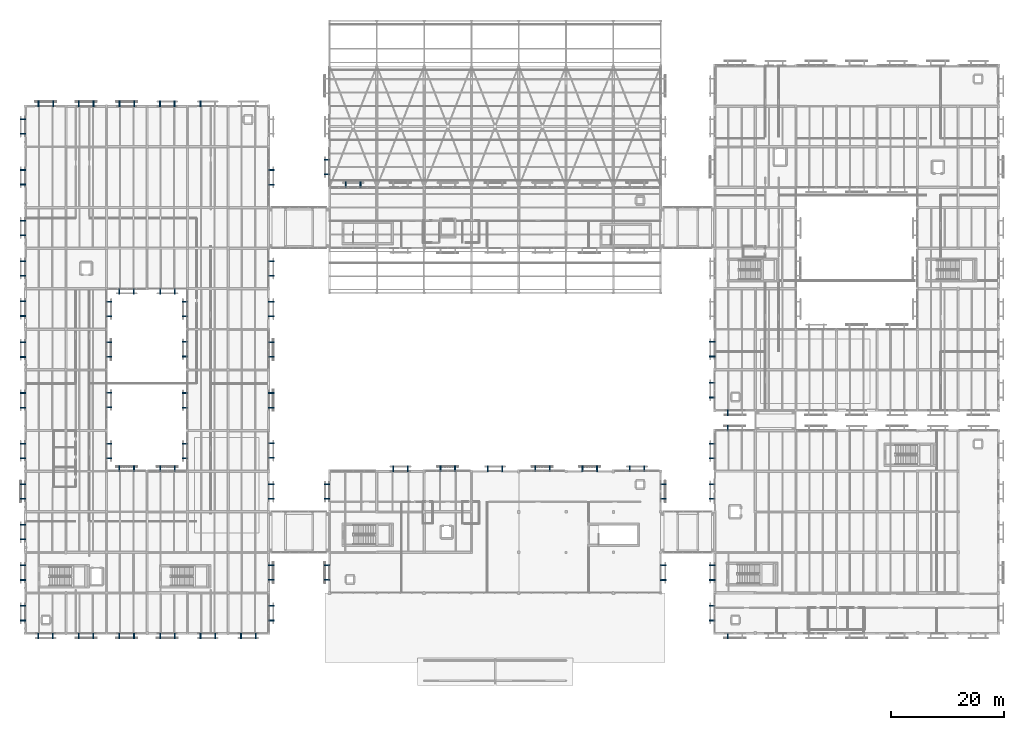
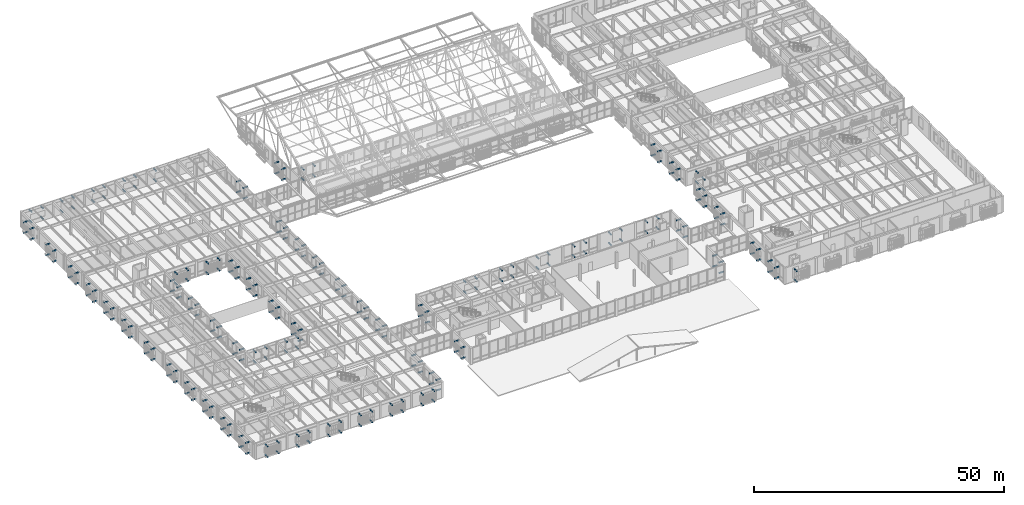
# One storey, part 190 of 217: 252 discrete accessories.
"""IFC4 building model written with IfcOpenShell, lengths in metres."""

from ifc_helpers import new_model, si_unit, direction, frame, origin, origin_2d, place, context, subcontext, project, spatial, rectangle, extrude, material, type_object, element, save


model = new_model("IFC4")

# Units and contexts
model_context = context("Model", 3, precision=1e-05, world=origin(), true_north=direction((0.0, 1.0)))
body_context = subcontext(model_context, "Body", "Model", "MODEL_VIEW")
ifc_project = project(units=[si_unit("LENGTHUNIT", "METRE"), si_unit("AREAUNIT", "SQUARE_METRE"), si_unit("VOLUMEUNIT", "CUBIC_METRE"), si_unit("PLANEANGLEUNIT", "RADIAN"), si_unit("MASSUNIT", "GRAM", prefix="KILO")], contexts=[model_context])

# Site, building, storey
site_placement = place(None, origin())
site = spatial("IfcSite", under=ifc_project, at=site_placement, CompositionType="ELEMENT")
building_placement = place(site_placement, origin())
building = spatial("IfcBuilding", under=site, at=building_placement, Name="Mazaris Harbour Polytechnic", CompositionType="ELEMENT")
storey_placement = place(building_placement, frame((0.0, 0.0, 9.60009765625)))
storey = spatial("IfcBuildingStorey", under=building, at=storey_placement, Name="L02", CompositionType="ELEMENT", Elevation=9.60009765625)

# Discrete accessories
ifc_material = material(Name="Stainless Steel S355", Category="steel")
discrete_accessory_type = type_object("IfcDiscreteAccessoryType", Name="Stainless Screen Outrigger Bracket 200x1020x200", PredefinedType="BRACKET", material=ifc_material)
for number, where, z_axis, x_axis, name in (
    (1, (56.904052734375, 86.840087890625, 0.16015625), (0.0, 0.0, 1.0), (1.0, 0.0, 0.0), "Screen Outrigger Bracket 117"),
    (2, (56.904052734375, 86.840087890625, 2.73974609375), (0.0, 0.0, 1.0), (1.0, 0.0, 0.0), "Screen Outrigger Bracket 118"),
    (3, (59.49609375, 86.840087890625, 0.16015625), (0.0, 0.0, 1.0), (1.0, 0.0, 0.0), "Screen Outrigger Bracket 119"),
    (4, (59.49609375, 86.840087890625, 2.73974609375), (0.0, 0.0, 1.0), (1.0, 0.0, 0.0), "Screen Outrigger Bracket 120"),
    (5, (53.56005859375, 88.694091796875, 0.16015625), (0.0, 0.0, 1.0), (0.0, 1.0, 0.0), "Screen Outrigger Bracket 145"),
    (6, (53.56005859375, 88.694091796875, 2.73974609375), (0.0, 0.0, 1.0), (0.0, 1.0, 0.0), "Screen Outrigger Bracket 146"),
    (7, (53.56005859375, 91.285888671875, 0.16015625), (0.0, 0.0, 1.0), (0.0, 1.0, 0.0), "Screen Outrigger Bracket 147"),
    (8, (53.56005859375, 91.285888671875, 2.73974609375), (0.0, 0.0, 1.0), (0.0, 1.0, 0.0), "Screen Outrigger Bracket 148"),
    (9, (124.68896484375, 6.760009765625, 0.16015625), (0.0, 0.0, 1.0), (-1.0, 0.0, 0.0), "Screen Outrigger Bracket 267"),
    (10, (124.68896484375, 6.760009765625, 2.73974609375), (0.0, 0.0, 1.0), (-1.0, 0.0, 0.0), "Screen Outrigger Bracket 268"),
    (11, (124.678955078125, 43.639892578125, 0.16015625), (0.0, 0.0, 1.0), (1.0, 0.0, 0.0), "Screen Outrigger Bracket 293"),
    (12, (124.678955078125, 43.639892578125, 2.73974609375), (0.0, 0.0, 1.0), (1.0, 0.0, 0.0), "Screen Outrigger Bracket 294"),
    (13, (121.9599609375, 9.493896484375, 0.16015625), (0.0, 0.0, 1.0), (0.0, 1.0, 0.0), "Screen Outrigger Bracket 317"),
    (14, (121.9599609375, 9.493896484375, 2.73974609375), (0.0, 0.0, 1.0), (0.0, 1.0, 0.0), "Screen Outrigger Bracket 318"),
    (15, (121.9599609375, 12.0859375, 0.16015625), (0.0, 0.0, 1.0), (0.0, 1.0, 0.0), "Screen Outrigger Bracket 319"),
    (16, (121.9599609375, 12.0859375, 2.73974609375), (0.0, 0.0, 1.0), (0.0, 1.0, 0.0), "Screen Outrigger Bracket 320"),
    (17, (121.9599609375, 16.694091796875, 0.16015625), (0.0, 0.0, 1.0), (0.0, 1.0, 0.0), "Screen Outrigger Bracket 321"),
    (18, (121.9599609375, 16.694091796875, 2.73974609375), (0.0, 0.0, 1.0), (0.0, 1.0, 0.0), "Screen Outrigger Bracket 322"),
    (19, (121.9599609375, 19.285888671875, 0.16015625), (0.0, 0.0, 1.0), (0.0, 1.0, 0.0), "Screen Outrigger Bracket 323"),
    (20, (121.9599609375, 19.285888671875, 2.73974609375), (0.0, 0.0, 1.0), (0.0, 1.0, 0.0), "Screen Outrigger Bracket 324"),
    (21, (121.9599609375, 31.10888671875, 0.16015625), (0.0, 0.0, 1.0), (0.0, 1.0, 0.0), "Screen Outrigger Bracket 325"),
    (22, (121.9599609375, 31.10888671875, 2.73974609375), (0.0, 0.0, 1.0), (0.0, 1.0, 0.0), "Screen Outrigger Bracket 326"),
    (23, (121.9599609375, 33.700927734375, 0.16015625), (0.0, 0.0, 1.0), (0.0, 1.0, 0.0), "Screen Outrigger Bracket 327"),
    (24, (121.9599609375, 33.700927734375, 2.73974609375), (0.0, 0.0, 1.0), (0.0, 1.0, 0.0), "Screen Outrigger Bracket 328"),
    (25, (121.9599609375, 38.2890625, 0.16015625), (0.0, 0.0, 1.0), (0.0, 1.0, 0.0), "Screen Outrigger Bracket 329"),
    (26, (121.9599609375, 38.2890625, 2.73974609375), (0.0, 0.0, 1.0), (0.0, 1.0, 0.0), "Screen Outrigger Bracket 330"),
    (27, (121.9599609375, 40.881103515625, 0.16015625), (0.0, 0.0, 1.0), (0.0, 1.0, 0.0), "Screen Outrigger Bracket 331"),
    (28, (121.9599609375, 40.881103515625, 2.73974609375), (0.0, 0.0, 1.0), (0.0, 1.0, 0.0), "Screen Outrigger Bracket 332"),
    (29, (65.30908203125, 36.43994140625, 0.16015625), (0.0, 0.0, 1.0), (1.0, 0.0, 0.0), "Screen Outrigger Bracket 485"),
    (30, (65.30908203125, 36.43994140625, 2.73974609375), (0.0, 0.0, 1.0), (1.0, 0.0, 0.0), "Screen Outrigger Bracket 486"),
    (31, (67.90087890625, 36.43994140625, 0.16015625), (0.0, 0.0, 1.0), (1.0, 0.0, 0.0), "Screen Outrigger Bracket 487"),
    (32, (67.90087890625, 36.43994140625, 2.73974609375), (0.0, 0.0, 1.0), (1.0, 0.0, 0.0), "Screen Outrigger Bracket 488"),
    (33, (73.698974609375, 36.43994140625, 0.16015625), (0.0, 0.0, 1.0), (1.0, 0.0, 0.0), "Screen Outrigger Bracket 489"),
    (34, (73.698974609375, 36.43994140625, 2.73974609375), (0.0, 0.0, 1.0), (1.0, 0.0, 0.0), "Screen Outrigger Bracket 490"),
    (35, (76.291015625, 36.43994140625, 0.16015625), (0.0, 0.0, 1.0), (1.0, 0.0, 0.0), "Screen Outrigger Bracket 491"),
    (36, (76.291015625, 36.43994140625, 2.73974609375), (0.0, 0.0, 1.0), (1.0, 0.0, 0.0), "Screen Outrigger Bracket 492"),
    (37, (82.10888671875, 36.43994140625, 0.16015625), (0.0, 0.0, 1.0), (1.0, 0.0, 0.0), "Screen Outrigger Bracket 493"),
    (38, (82.10888671875, 36.43994140625, 2.73974609375), (0.0, 0.0, 1.0), (1.0, 0.0, 0.0), "Screen Outrigger Bracket 494"),
    (39, (84.700927734375, 36.43994140625, 0.16015625), (0.0, 0.0, 1.0), (1.0, 0.0, 0.0), "Screen Outrigger Bracket 495"),
    (40, (84.700927734375, 36.43994140625, 2.73974609375), (0.0, 0.0, 1.0), (1.0, 0.0, 0.0), "Screen Outrigger Bracket 496"),
    (41, (90.4990234375, 36.43994140625, 0.16015625), (0.0, 0.0, 1.0), (1.0, 0.0, 0.0), "Screen Outrigger Bracket 497"),
    (42, (90.4990234375, 36.43994140625, 2.73974609375), (0.0, 0.0, 1.0), (1.0, 0.0, 0.0), "Screen Outrigger Bracket 498"),
    (43, (93.091064453125, 36.43994140625, 0.16015625), (0.0, 0.0, 1.0), (1.0, 0.0, 0.0), "Screen Outrigger Bracket 499"),
    (44, (93.091064453125, 36.43994140625, 2.73974609375), (0.0, 0.0, 1.0), (1.0, 0.0, 0.0), "Screen Outrigger Bracket 500"),
    (45, (98.908935546875, 36.43994140625, 0.16015625), (0.0, 0.0, 1.0), (1.0, 0.0, 0.0), "Screen Outrigger Bracket 501"),
    (46, (98.908935546875, 36.43994140625, 2.73974609375), (0.0, 0.0, 1.0), (1.0, 0.0, 0.0), "Screen Outrigger Bracket 502"),
    (47, (101.5009765625, 36.43994140625, 0.16015625), (0.0, 0.0, 1.0), (1.0, 0.0, 0.0), "Screen Outrigger Bracket 503"),
    (48, (101.5009765625, 36.43994140625, 2.73974609375), (0.0, 0.0, 1.0), (1.0, 0.0, 0.0), "Screen Outrigger Bracket 504"),
    (49, (107.299072265625, 36.43994140625, 0.16015625), (0.0, 0.0, 1.0), (1.0, 0.0, 0.0), "Screen Outrigger Bracket 505"),
    (50, (107.299072265625, 36.43994140625, 2.73974609375), (0.0, 0.0, 1.0), (1.0, 0.0, 0.0), "Screen Outrigger Bracket 506"),
    (51, (109.89111328125, 36.43994140625, 0.16015625), (0.0, 0.0, 1.0), (1.0, 0.0, 0.0), "Screen Outrigger Bracket 507"),
    (52, (109.89111328125, 36.43994140625, 2.73974609375), (0.0, 0.0, 1.0), (1.0, 0.0, 0.0), "Screen Outrigger Bracket 508"),
    (53, (53.56005859375, 16.708984375, 0.16015625), (0.0, 0.0, 1.0), (0.0, 1.0, 0.0), "Screen Outrigger Bracket 509"),
    (54, (53.56005859375, 16.708984375, 2.73974609375), (0.0, 0.0, 1.0), (0.0, 1.0, 0.0), "Screen Outrigger Bracket 510"),
    (55, (53.56005859375, 19.301025390625, 0.16015625), (0.0, 0.0, 1.0), (0.0, 1.0, 0.0), "Screen Outrigger Bracket 511"),
    (56, (53.56005859375, 19.301025390625, 2.73974609375), (0.0, 0.0, 1.0), (0.0, 1.0, 0.0), "Screen Outrigger Bracket 512"),
    (57, (53.56005859375, 31.089111328125, 0.16015625), (0.0, 0.0, 1.0), (0.0, 1.0, 0.0), "Screen Outrigger Bracket 513"),
    (58, (53.56005859375, 31.089111328125, 2.73974609375), (0.0, 0.0, 1.0), (0.0, 1.0, 0.0), "Screen Outrigger Bracket 514"),
    (59, (53.56005859375, 33.680908203125, 0.16015625), (0.0, 0.0, 1.0), (0.0, 1.0, 0.0), "Screen Outrigger Bracket 515"),
    (60, (53.56005859375, 33.680908203125, 2.73974609375), (0.0, 0.0, 1.0), (0.0, 1.0, 0.0), "Screen Outrigger Bracket 516"),
    (61, (113.239990234375, 19.285888671875, 0.16015625), (0.0, 0.0, 1.0), (0.0, -1.0, 0.0), "Screen Outrigger Bracket 517"),
    (62, (113.239990234375, 19.285888671875, 2.73974609375), (0.0, 0.0, 1.0), (0.0, -1.0, 0.0), "Screen Outrigger Bracket 518"),
    (63, (113.239990234375, 16.694091796875, 0.16015625), (0.0, 0.0, 1.0), (0.0, -1.0, 0.0), "Screen Outrigger Bracket 519"),
    (64, (113.239990234375, 16.694091796875, 2.73974609375), (0.0, 0.0, 1.0), (0.0, -1.0, 0.0), "Screen Outrigger Bracket 520"),
    (65, (113.239990234375, 33.68603515625, 0.16015625), (0.0, 0.0, 1.0), (0.0, -1.0, 0.0), "Screen Outrigger Bracket 521"),
    (66, (113.239990234375, 33.68603515625, 2.73974609375), (0.0, 0.0, 1.0), (0.0, -1.0, 0.0), "Screen Outrigger Bracket 522"),
    (67, (113.239990234375, 31.093994140625, 0.16015625), (0.0, 0.0, 1.0), (0.0, -1.0, 0.0), "Screen Outrigger Bracket 523"),
    (68, (113.239990234375, 31.093994140625, 2.73974609375), (0.0, 0.0, 1.0), (0.0, -1.0, 0.0), "Screen Outrigger Bracket 524"),
    (69, (4.89111328125, 6.760009765625, 0.16015625), (0.0, 0.0, 1.0), (-1.0, 0.0, 0.0), "Screen Outrigger Bracket 801"),
    (70, (4.89111328125, 6.760009765625, 2.72998046875), (0.0, 0.0, 1.0), (-1.0, 0.0, 0.0), "Screen Outrigger Bracket 802"),
    (71, (2.299072265625, 6.760009765625, 0.16015625), (0.0, 0.0, 1.0), (-1.0, 0.0, 0.0), "Screen Outrigger Bracket 803"),
    (72, (2.299072265625, 6.760009765625, 2.72998046875), (0.0, 0.0, 1.0), (-1.0, 0.0, 0.0), "Screen Outrigger Bracket 804"),
    (73, (12.0810546875, 6.760009765625, 0.16015625), (0.0, 0.0, 1.0), (-1.0, 0.0, 0.0), "Screen Outrigger Bracket 805"),
    (74, (12.0810546875, 6.760009765625, 2.72998046875), (0.0, 0.0, 1.0), (-1.0, 0.0, 0.0), "Screen Outrigger Bracket 806"),
    (75, (9.489013671875, 6.760009765625, 0.16015625), (0.0, 0.0, 1.0), (-1.0, 0.0, 0.0), "Screen Outrigger Bracket 807"),
    (76, (9.489013671875, 6.760009765625, 2.72998046875), (0.0, 0.0, 1.0), (-1.0, 0.0, 0.0), "Screen Outrigger Bracket 808"),
    (77, (19.291015625, 6.760009765625, 0.16015625), (0.0, 0.0, 1.0), (-1.0, 0.0, 0.0), "Screen Outrigger Bracket 809"),
    (78, (19.291015625, 6.760009765625, 2.73974609375), (0.0, 0.0, 1.0), (-1.0, 0.0, 0.0), "Screen Outrigger Bracket 810"),
    (79, (16.698974609375, 6.760009765625, 0.16015625), (0.0, 0.0, 1.0), (-1.0, 0.0, 0.0), "Screen Outrigger Bracket 811"),
    (80, (16.698974609375, 6.760009765625, 2.73974609375), (0.0, 0.0, 1.0), (-1.0, 0.0, 0.0), "Screen Outrigger Bracket 812"),
    (81, (26.510986328125, 6.760009765625, 0.16015625), (0.0, 0.0, 1.0), (-1.0, 0.0, 0.0), "Screen Outrigger Bracket 813"),
    (82, (26.510986328125, 6.760009765625, 2.73974609375), (0.0, 0.0, 1.0), (-1.0, 0.0, 0.0), "Screen Outrigger Bracket 814"),
    (83, (23.9189453125, 6.760009765625, 0.16015625), (0.0, 0.0, 1.0), (-1.0, 0.0, 0.0), "Screen Outrigger Bracket 815"),
    (84, (23.9189453125, 6.760009765625, 2.73974609375), (0.0, 0.0, 1.0), (-1.0, 0.0, 0.0), "Screen Outrigger Bracket 816"),
    (85, (33.69091796875, 6.760009765625, 0.16015625), (0.0, 0.0, 1.0), (-1.0, 0.0, 0.0), "Screen Outrigger Bracket 817"),
    (86, (33.69091796875, 6.760009765625, 2.72998046875), (0.0, 0.0, 1.0), (-1.0, 0.0, 0.0), "Screen Outrigger Bracket 818"),
    (87, (31.09912109375, 6.760009765625, 0.16015625), (0.0, 0.0, 1.0), (-1.0, 0.0, 0.0), "Screen Outrigger Bracket 819"),
    (88, (31.09912109375, 6.760009765625, 2.72998046875), (0.0, 0.0, 1.0), (-1.0, 0.0, 0.0), "Screen Outrigger Bracket 820"),
    (89, (40.881103515625, 6.760009765625, 0.16015625), (0.0, 0.0, 1.0), (-1.0, 0.0, 0.0), "Screen Outrigger Bracket 821"),
    (90, (40.881103515625, 6.760009765625, 2.73974609375), (0.0, 0.0, 1.0), (-1.0, 0.0, 0.0), "Screen Outrigger Bracket 822"),
    (91, (38.2890625, 6.760009765625, 0.16015625), (0.0, 0.0, 1.0), (-1.0, 0.0, 0.0), "Screen Outrigger Bracket 823"),
    (92, (38.2890625, 6.760009765625, 2.73974609375), (0.0, 0.0, 1.0), (-1.0, 0.0, 0.0), "Screen Outrigger Bracket 824"),
    (93, (2.333984375, 101.239990234375, 0.16015625), (0.0, 0.0, 1.0), (1.0, 0.0, 0.0), "Screen Outrigger Bracket 825"),
    (94, (2.333984375, 101.239990234375, 2.73974609375), (0.0, 0.0, 1.0), (1.0, 0.0, 0.0), "Screen Outrigger Bracket 826"),
    (95, (4.926025390625, 101.239990234375, 0.16015625), (0.0, 0.0, 1.0), (1.0, 0.0, 0.0), "Screen Outrigger Bracket 827"),
    (96, (4.926025390625, 101.239990234375, 2.73974609375), (0.0, 0.0, 1.0), (1.0, 0.0, 0.0), "Screen Outrigger Bracket 828"),
    (97, (9.4990234375, 101.239990234375, 0.16015625), (0.0, 0.0, 1.0), (1.0, 0.0, 0.0), "Screen Outrigger Bracket 829"),
    (98, (9.4990234375, 101.239990234375, 2.73974609375), (0.0, 0.0, 1.0), (1.0, 0.0, 0.0), "Screen Outrigger Bracket 830"),
    (99, (12.091064453125, 101.239990234375, 0.16015625), (0.0, 0.0, 1.0), (1.0, 0.0, 0.0), "Screen Outrigger Bracket 831"),
    (100, (12.091064453125, 101.239990234375, 2.73974609375), (0.0, 0.0, 1.0), (1.0, 0.0, 0.0), "Screen Outrigger Bracket 832"),
    (101, (16.718994140625, 101.239990234375, 0.16015625), (0.0, 0.0, 1.0), (1.0, 0.0, 0.0), "Screen Outrigger Bracket 833"),
    (102, (16.718994140625, 101.239990234375, 2.72998046875), (0.0, 0.0, 1.0), (1.0, 0.0, 0.0), "Screen Outrigger Bracket 834"),
    (103, (19.31103515625, 101.239990234375, 0.16015625), (0.0, 0.0, 1.0), (1.0, 0.0, 0.0), "Screen Outrigger Bracket 835"),
    (104, (19.31103515625, 101.239990234375, 2.72998046875), (0.0, 0.0, 1.0), (1.0, 0.0, 0.0), "Screen Outrigger Bracket 836"),
    (105, (23.89892578125, 101.239990234375, 0.16015625), (0.0, 0.0, 1.0), (1.0, 0.0, 0.0), "Screen Outrigger Bracket 837"),
    (106, (23.89892578125, 101.239990234375, 2.72998046875), (0.0, 0.0, 1.0), (1.0, 0.0, 0.0), "Screen Outrigger Bracket 838"),
    (107, (26.490966796875, 101.239990234375, 0.16015625), (0.0, 0.0, 1.0), (1.0, 0.0, 0.0), "Screen Outrigger Bracket 839"),
    (108, (26.490966796875, 101.239990234375, 2.72998046875), (0.0, 0.0, 1.0), (1.0, 0.0, 0.0), "Screen Outrigger Bracket 840"),
    (109, (31.089111328125, 101.239990234375, 0.16015625), (0.0, 0.0, 1.0), (1.0, 0.0, 0.0), "Screen Outrigger Bracket 841"),
    (110, (31.089111328125, 101.239990234375, 2.73974609375), (0.0, 0.0, 1.0), (1.0, 0.0, 0.0), "Screen Outrigger Bracket 842"),
    (111, (-0.43994140625, 9.493896484375, 0.16015625), (0.0, 0.0, 1.0), (0.0, 1.0, 0.0), "Screen Outrigger Bracket 849"),
    (112, (-0.43994140625, 9.493896484375, 2.73974609375), (0.0, 0.0, 1.0), (0.0, 1.0, 0.0), "Screen Outrigger Bracket 850"),
    (113, (-0.43994140625, 12.0859375, 0.16015625), (0.0, 0.0, 1.0), (0.0, 1.0, 0.0), "Screen Outrigger Bracket 851"),
    (114, (-0.43994140625, 12.0859375, 2.73974609375), (0.0, 0.0, 1.0), (0.0, 1.0, 0.0), "Screen Outrigger Bracket 852"),
    (115, (-0.43994140625, 16.694091796875, 0.16015625), (0.0, 0.0, 1.0), (0.0, 1.0, 0.0), "Screen Outrigger Bracket 853"),
    (116, (-0.43994140625, 16.694091796875, 2.73974609375), (0.0, 0.0, 1.0), (0.0, 1.0, 0.0), "Screen Outrigger Bracket 854"),
    (117, (-0.43994140625, 19.285888671875, 0.16015625), (0.0, 0.0, 1.0), (0.0, 1.0, 0.0), "Screen Outrigger Bracket 855"),
    (118, (-0.43994140625, 19.285888671875, 2.73974609375), (0.0, 0.0, 1.0), (0.0, 1.0, 0.0), "Screen Outrigger Bracket 856"),
    (119, (-0.43994140625, 23.89404296875, 0.16015625), (0.0, 0.0, 1.0), (0.0, 1.0, 0.0), "Screen Outrigger Bracket 857"),
    (120, (-0.43994140625, 23.89404296875, 2.72998046875), (0.0, 0.0, 1.0), (0.0, 1.0, 0.0), "Screen Outrigger Bracket 858"),
    (121, (-0.43994140625, 26.486083984375, 0.16015625), (0.0, 0.0, 1.0), (0.0, 1.0, 0.0), "Screen Outrigger Bracket 859"),
    (122, (-0.43994140625, 26.486083984375, 2.72998046875), (0.0, 0.0, 1.0), (0.0, 1.0, 0.0), "Screen Outrigger Bracket 860"),
    (123, (-0.43994140625, 31.093994140625, 0.16015625), (0.0, 0.0, 1.0), (0.0, 1.0, 0.0), "Screen Outrigger Bracket 861"),
    (124, (-0.43994140625, 31.093994140625, 2.73974609375), (0.0, 0.0, 1.0), (0.0, 1.0, 0.0), "Screen Outrigger Bracket 862"),
    (125, (-0.43994140625, 33.68603515625, 0.16015625), (0.0, 0.0, 1.0), (0.0, 1.0, 0.0), "Screen Outrigger Bracket 863"),
    (126, (-0.43994140625, 33.68603515625, 2.73974609375), (0.0, 0.0, 1.0), (0.0, 1.0, 0.0), "Screen Outrigger Bracket 864"),
    (127, (-0.43994140625, 38.30908203125, 0.16015625), (0.0, 0.0, 1.0), (0.0, 1.0, 0.0), "Screen Outrigger Bracket 865"),
    (128, (-0.43994140625, 38.30908203125, 2.73974609375), (0.0, 0.0, 1.0), (0.0, 1.0, 0.0), "Screen Outrigger Bracket 866"),
    (129, (-0.43994140625, 40.90087890625, 0.16015625), (0.0, 0.0, 1.0), (0.0, 1.0, 0.0), "Screen Outrigger Bracket 867"),
    (130, (-0.43994140625, 40.90087890625, 2.73974609375), (0.0, 0.0, 1.0), (0.0, 1.0, 0.0), "Screen Outrigger Bracket 868"),
    (131, (-0.43994140625, 47.2890625, 0.16015625), (0.0, 0.0, 1.0), (0.0, 1.0, 0.0), "Screen Outrigger Bracket 869"),
    (132, (-0.43994140625, 47.2890625, 2.73974609375), (0.0, 0.0, 1.0), (0.0, 1.0, 0.0), "Screen Outrigger Bracket 870"),
    (133, (-0.43994140625, 49.881103515625, 0.16015625), (0.0, 0.0, 1.0), (0.0, 1.0, 0.0), "Screen Outrigger Bracket 871"),
    (134, (-0.43994140625, 49.881103515625, 2.73974609375), (0.0, 0.0, 1.0), (0.0, 1.0, 0.0), "Screen Outrigger Bracket 872"),
    (135, (-0.43994140625, 56.2890625, 0.16015625), (0.0, 0.0, 1.0), (0.0, 1.0, 0.0), "Screen Outrigger Bracket 873"),
    (136, (-0.43994140625, 56.2890625, 2.73974609375), (0.0, 0.0, 1.0), (0.0, 1.0, 0.0), "Screen Outrigger Bracket 874"),
    (137, (-0.43994140625, 58.881103515625, 0.16015625), (0.0, 0.0, 1.0), (0.0, 1.0, 0.0), "Screen Outrigger Bracket 875"),
    (138, (-0.43994140625, 58.881103515625, 2.73974609375), (0.0, 0.0, 1.0), (0.0, 1.0, 0.0), "Screen Outrigger Bracket 876"),
    (139, (-0.43994140625, 63.569091796875, 0.16015625), (0.0, 0.0, 1.0), (0.0, 1.0, 0.0), "Screen Outrigger Bracket 877"),
    (140, (-0.43994140625, 63.569091796875, 2.72998046875), (0.0, 0.0, 1.0), (0.0, 1.0, 0.0), "Screen Outrigger Bracket 878"),
    (141, (-0.43994140625, 66.160888671875, 0.16015625), (0.0, 0.0, 1.0), (0.0, 1.0, 0.0), "Screen Outrigger Bracket 879"),
    (142, (-0.43994140625, 66.160888671875, 2.72998046875), (0.0, 0.0, 1.0), (0.0, 1.0, 0.0), "Screen Outrigger Bracket 880"),
    (143, (-0.43994140625, 70.694091796875, 0.16015625), (0.0, 0.0, 1.0), (0.0, 1.0, 0.0), "Screen Outrigger Bracket 881"),
    (144, (-0.43994140625, 70.694091796875, 2.73974609375), (0.0, 0.0, 1.0), (0.0, 1.0, 0.0), "Screen Outrigger Bracket 882"),
    (145, (-0.43994140625, 73.285888671875, 0.16015625), (0.0, 0.0, 1.0), (0.0, 1.0, 0.0), "Screen Outrigger Bracket 883"),
    (146, (-0.43994140625, 73.285888671875, 2.73974609375), (0.0, 0.0, 1.0), (0.0, 1.0, 0.0), "Screen Outrigger Bracket 884"),
    (147, (-0.43994140625, 77.89404296875, 0.16015625), (0.0, 0.0, 1.0), (0.0, 1.0, 0.0), "Screen Outrigger Bracket 885"),
    (148, (-0.43994140625, 77.89404296875, 2.73974609375), (0.0, 0.0, 1.0), (0.0, 1.0, 0.0), "Screen Outrigger Bracket 886"),
    (149, (-0.43994140625, 80.486083984375, 0.16015625), (0.0, 0.0, 1.0), (0.0, 1.0, 0.0), "Screen Outrigger Bracket 887"),
    (150, (-0.43994140625, 80.486083984375, 2.73974609375), (0.0, 0.0, 1.0), (0.0, 1.0, 0.0), "Screen Outrigger Bracket 888"),
    (151, (-0.43994140625, 86.89404296875, 0.16015625), (0.0, 0.0, 1.0), (0.0, 1.0, 0.0), "Screen Outrigger Bracket 889"),
    (152, (-0.43994140625, 86.89404296875, 2.73974609375), (0.0, 0.0, 1.0), (0.0, 1.0, 0.0), "Screen Outrigger Bracket 890"),
    (153, (-0.43994140625, 89.486083984375, 0.16015625), (0.0, 0.0, 1.0), (0.0, 1.0, 0.0), "Screen Outrigger Bracket 891"),
    (154, (-0.43994140625, 89.486083984375, 2.73974609375), (0.0, 0.0, 1.0), (0.0, 1.0, 0.0), "Screen Outrigger Bracket 892"),
    (155, (-0.43994140625, 95.89404296875, 0.16015625), (0.0, 0.0, 1.0), (0.0, 1.0, 0.0), "Screen Outrigger Bracket 893"),
    (156, (-0.43994140625, 95.89404296875, 2.73974609375), (0.0, 0.0, 1.0), (0.0, 1.0, 0.0), "Screen Outrigger Bracket 894"),
    (157, (-0.43994140625, 98.486083984375, 0.16015625), (0.0, 0.0, 1.0), (0.0, 1.0, 0.0), "Screen Outrigger Bracket 895"),
    (158, (-0.43994140625, 98.486083984375, 2.73974609375), (0.0, 0.0, 1.0), (0.0, 1.0, 0.0), "Screen Outrigger Bracket 896"),
    (159, (43.639892578125, 12.0859375, 0.16015625), (0.0, 0.0, 1.0), (0.0, -1.0, 0.0), "Screen Outrigger Bracket 897"),
    (160, (43.639892578125, 12.0859375, 2.73974609375), (0.0, 0.0, 1.0), (0.0, -1.0, 0.0), "Screen Outrigger Bracket 898"),
    (161, (43.639892578125, 9.493896484375, 0.16015625), (0.0, 0.0, 1.0), (0.0, -1.0, 0.0), "Screen Outrigger Bracket 899"),
    (162, (43.639892578125, 9.493896484375, 2.73974609375), (0.0, 0.0, 1.0), (0.0, -1.0, 0.0), "Screen Outrigger Bracket 900"),
    (163, (43.639892578125, 19.301025390625, 0.16015625), (0.0, 0.0, 1.0), (0.0, -1.0, 0.0), "Screen Outrigger Bracket 901"),
    (164, (43.639892578125, 19.301025390625, 2.72998046875), (0.0, 0.0, 1.0), (0.0, -1.0, 0.0), "Screen Outrigger Bracket 902"),
    (165, (43.639892578125, 16.708984375, 0.16015625), (0.0, 0.0, 1.0), (0.0, -1.0, 0.0), "Screen Outrigger Bracket 903"),
    (166, (43.639892578125, 16.708984375, 2.72998046875), (0.0, 0.0, 1.0), (0.0, -1.0, 0.0), "Screen Outrigger Bracket 904"),
    (167, (43.639892578125, 33.680908203125, 0.16015625), (0.0, 0.0, 1.0), (0.0, -1.0, 0.0), "Screen Outrigger Bracket 905"),
    (168, (43.639892578125, 33.680908203125, 2.73974609375), (0.0, 0.0, 1.0), (0.0, -1.0, 0.0), "Screen Outrigger Bracket 906"),
    (169, (43.639892578125, 31.089111328125, 0.16015625), (0.0, 0.0, 1.0), (0.0, -1.0, 0.0), "Screen Outrigger Bracket 907"),
    (170, (43.639892578125, 31.089111328125, 2.73974609375), (0.0, 0.0, 1.0), (0.0, -1.0, 0.0), "Screen Outrigger Bracket 908"),
    (171, (43.639892578125, 40.9609375, 0.16015625), (0.0, 0.0, 1.0), (0.0, -1.0, 0.0), "Screen Outrigger Bracket 909"),
    (172, (43.639892578125, 40.9609375, 2.73974609375), (0.0, 0.0, 1.0), (0.0, -1.0, 0.0), "Screen Outrigger Bracket 910"),
    (173, (43.639892578125, 38.368896484375, 0.16015625), (0.0, 0.0, 1.0), (0.0, -1.0, 0.0), "Screen Outrigger Bracket 911"),
    (174, (43.639892578125, 38.368896484375, 2.73974609375), (0.0, 0.0, 1.0), (0.0, -1.0, 0.0), "Screen Outrigger Bracket 912"),
    (175, (43.639892578125, 49.885986328125, 0.16015625), (0.0, 0.0, 1.0), (0.0, -1.0, 0.0), "Screen Outrigger Bracket 913"),
    (176, (43.639892578125, 49.885986328125, 2.73974609375), (0.0, 0.0, 1.0), (0.0, -1.0, 0.0), "Screen Outrigger Bracket 914"),
    (177, (43.639892578125, 47.2939453125, 0.16015625), (0.0, 0.0, 1.0), (0.0, -1.0, 0.0), "Screen Outrigger Bracket 915"),
    (178, (43.639892578125, 47.2939453125, 2.73974609375), (0.0, 0.0, 1.0), (0.0, -1.0, 0.0), "Screen Outrigger Bracket 916"),
    (179, (43.639892578125, 58.885986328125, 0.16015625), (0.0, 0.0, 1.0), (0.0, -1.0, 0.0), "Screen Outrigger Bracket 917"),
    (180, (43.639892578125, 58.885986328125, 2.73974609375), (0.0, 0.0, 1.0), (0.0, -1.0, 0.0), "Screen Outrigger Bracket 918"),
    (181, (43.639892578125, 56.2939453125, 0.16015625), (0.0, 0.0, 1.0), (0.0, -1.0, 0.0), "Screen Outrigger Bracket 919"),
    (182, (43.639892578125, 56.2939453125, 2.73974609375), (0.0, 0.0, 1.0), (0.0, -1.0, 0.0), "Screen Outrigger Bracket 920"),
    (183, (43.639892578125, 66.0859375, 0.16015625), (0.0, 0.0, 1.0), (0.0, -1.0, 0.0), "Screen Outrigger Bracket 921"),
    (184, (43.639892578125, 66.0859375, 2.73974609375), (0.0, 0.0, 1.0), (0.0, -1.0, 0.0), "Screen Outrigger Bracket 922"),
    (185, (43.639892578125, 63.493896484375, 0.16015625), (0.0, 0.0, 1.0), (0.0, -1.0, 0.0), "Screen Outrigger Bracket 923"),
    (186, (43.639892578125, 63.493896484375, 2.73974609375), (0.0, 0.0, 1.0), (0.0, -1.0, 0.0), "Screen Outrigger Bracket 924"),
    (187, (43.639892578125, 73.285888671875, 0.16015625), (0.0, 0.0, 1.0), (0.0, -1.0, 0.0), "Screen Outrigger Bracket 925"),
    (188, (43.639892578125, 73.285888671875, 2.73974609375), (0.0, 0.0, 1.0), (0.0, -1.0, 0.0), "Screen Outrigger Bracket 926"),
    (189, (43.639892578125, 70.694091796875, 0.16015625), (0.0, 0.0, 1.0), (0.0, -1.0, 0.0), "Screen Outrigger Bracket 927"),
    (190, (43.639892578125, 70.694091796875, 2.73974609375), (0.0, 0.0, 1.0), (0.0, -1.0, 0.0), "Screen Outrigger Bracket 928"),
    (191, (43.639892578125, 89.48095703125, 0.16015625), (0.0, 0.0, 1.0), (0.0, -1.0, 0.0), "Screen Outrigger Bracket 929"),
    (192, (43.639892578125, 89.48095703125, 2.73974609375), (0.0, 0.0, 1.0), (0.0, -1.0, 0.0), "Screen Outrigger Bracket 930"),
    (193, (43.639892578125, 86.888916015625, 0.16015625), (0.0, 0.0, 1.0), (0.0, -1.0, 0.0), "Screen Outrigger Bracket 931"),
    (194, (43.639892578125, 86.888916015625, 2.73974609375), (0.0, 0.0, 1.0), (0.0, -1.0, 0.0), "Screen Outrigger Bracket 932"),
    (195, (16.68896484375, 36.43994140625, 0.16015625), (0.0, 0.0, 1.0), (1.0, 0.0, 0.0), "Screen Outrigger Bracket 937"),
    (196, (16.68896484375, 36.43994140625, 2.72998046875), (0.0, 0.0, 1.0), (1.0, 0.0, 0.0), "Screen Outrigger Bracket 938"),
    (197, (19.281005859375, 36.43994140625, 0.16015625), (0.0, 0.0, 1.0), (1.0, 0.0, 0.0), "Screen Outrigger Bracket 939"),
    (198, (19.281005859375, 36.43994140625, 2.72998046875), (0.0, 0.0, 1.0), (1.0, 0.0, 0.0), "Screen Outrigger Bracket 940"),
    (199, (23.928955078125, 36.43994140625, 0.16015625), (0.0, 0.0, 1.0), (1.0, 0.0, 0.0), "Screen Outrigger Bracket 941"),
    (200, (23.928955078125, 36.43994140625, 2.72998046875), (0.0, 0.0, 1.0), (1.0, 0.0, 0.0), "Screen Outrigger Bracket 942"),
    (201, (26.52099609375, 36.43994140625, 0.16015625), (0.0, 0.0, 1.0), (1.0, 0.0, 0.0), "Screen Outrigger Bracket 943"),
    (202, (26.52099609375, 36.43994140625, 2.72998046875), (0.0, 0.0, 1.0), (1.0, 0.0, 0.0), "Screen Outrigger Bracket 944"),
    (203, (19.27587890625, 67.9599609375, 0.16015625), (0.0, 0.0, 1.0), (-1.0, 0.0, 0.0), "Screen Outrigger Bracket 945"),
    (204, (19.27587890625, 67.9599609375, 2.72998046875), (0.0, 0.0, 1.0), (-1.0, 0.0, 0.0), "Screen Outrigger Bracket 946"),
    (205, (16.68408203125, 67.9599609375, 0.16015625), (0.0, 0.0, 1.0), (-1.0, 0.0, 0.0), "Screen Outrigger Bracket 947"),
    (206, (16.68408203125, 67.9599609375, 2.72998046875), (0.0, 0.0, 1.0), (-1.0, 0.0, 0.0), "Screen Outrigger Bracket 948"),
    (207, (26.52587890625, 67.9599609375, 0.16015625), (0.0, 0.0, 1.0), (-1.0, 0.0, 0.0), "Screen Outrigger Bracket 949"),
    (208, (26.52587890625, 67.9599609375, 2.72998046875), (0.0, 0.0, 1.0), (-1.0, 0.0, 0.0), "Screen Outrigger Bracket 950"),
    (209, (23.93408203125, 67.9599609375, 0.16015625), (0.0, 0.0, 1.0), (-1.0, 0.0, 0.0), "Screen Outrigger Bracket 951"),
    (210, (23.93408203125, 67.9599609375, 2.72998046875), (0.0, 0.0, 1.0), (-1.0, 0.0, 0.0), "Screen Outrigger Bracket 952"),
    (211, (14.840087890625, 38.2890625, 0.16015625), (0.0, 0.0, 1.0), (0.0, 1.0, 0.0), "Screen Outrigger Bracket 953"),
    (212, (14.840087890625, 38.2890625, 2.72998046875), (0.0, 0.0, 1.0), (0.0, 1.0, 0.0), "Screen Outrigger Bracket 954"),
    (213, (14.840087890625, 40.881103515625, 0.16015625), (0.0, 0.0, 1.0), (0.0, 1.0, 0.0), "Screen Outrigger Bracket 955"),
    (214, (14.840087890625, 40.881103515625, 2.72998046875), (0.0, 0.0, 1.0), (0.0, 1.0, 0.0), "Screen Outrigger Bracket 956"),
    (215, (14.840087890625, 47.368896484375, 0.16015625), (0.0, 0.0, 1.0), (0.0, 1.0, 0.0), "Screen Outrigger Bracket 957"),
    (216, (14.840087890625, 47.368896484375, 2.72998046875), (0.0, 0.0, 1.0), (0.0, 1.0, 0.0), "Screen Outrigger Bracket 958"),
    (217, (14.840087890625, 49.9609375, 0.16015625), (0.0, 0.0, 1.0), (0.0, 1.0, 0.0), "Screen Outrigger Bracket 959"),
    (218, (14.840087890625, 49.9609375, 2.72998046875), (0.0, 0.0, 1.0), (0.0, 1.0, 0.0), "Screen Outrigger Bracket 960"),
    (219, (14.840087890625, 56.2939453125, 0.16015625), (0.0, 0.0, 1.0), (0.0, 1.0, 0.0), "Screen Outrigger Bracket 961"),
    (220, (14.840087890625, 56.2939453125, 2.72998046875), (0.0, 0.0, 1.0), (0.0, 1.0, 0.0), "Screen Outrigger Bracket 962"),
    (221, (14.840087890625, 58.885986328125, 0.16015625), (0.0, 0.0, 1.0), (0.0, 1.0, 0.0), "Screen Outrigger Bracket 963"),
    (222, (14.840087890625, 58.885986328125, 2.72998046875), (0.0, 0.0, 1.0), (0.0, 1.0, 0.0), "Screen Outrigger Bracket 964"),
    (223, (14.840087890625, 63.493896484375, 0.16015625), (0.0, 0.0, 1.0), (0.0, 1.0, 0.0), "Screen Outrigger Bracket 965"),
    (224, (14.840087890625, 63.493896484375, 2.72998046875), (0.0, 0.0, 1.0), (0.0, 1.0, 0.0), "Screen Outrigger Bracket 966"),
    (225, (14.840087890625, 66.0859375, 0.16015625), (0.0, 0.0, 1.0), (0.0, 1.0, 0.0), "Screen Outrigger Bracket 967"),
    (226, (14.840087890625, 66.0859375, 2.72998046875), (0.0, 0.0, 1.0), (0.0, 1.0, 0.0), "Screen Outrigger Bracket 968"),
    (227, (28.360107421875, 40.881103515625, 0.16015625), (0.0, 0.0, 1.0), (0.0, -1.0, 0.0), "Screen Outrigger Bracket 969"),
    (228, (28.360107421875, 40.881103515625, 2.72998046875), (0.0, 0.0, 1.0), (0.0, -1.0, 0.0), "Screen Outrigger Bracket 970"),
    (229, (28.360107421875, 38.2890625, 0.16015625), (0.0, 0.0, 1.0), (0.0, -1.0, 0.0), "Screen Outrigger Bracket 971"),
    (230, (28.360107421875, 38.2890625, 2.72998046875), (0.0, 0.0, 1.0), (0.0, -1.0, 0.0), "Screen Outrigger Bracket 972"),
    (231, (28.360107421875, 49.881103515625, 0.16015625), (0.0, 0.0, 1.0), (0.0, -1.0, 0.0), "Screen Outrigger Bracket 973"),
    (232, (28.360107421875, 49.881103515625, 2.72998046875), (0.0, 0.0, 1.0), (0.0, -1.0, 0.0), "Screen Outrigger Bracket 974"),
    (233, (28.360107421875, 47.2890625, 0.16015625), (0.0, 0.0, 1.0), (0.0, -1.0, 0.0), "Screen Outrigger Bracket 975"),
    (234, (28.360107421875, 47.2890625, 2.72998046875), (0.0, 0.0, 1.0), (0.0, -1.0, 0.0), "Screen Outrigger Bracket 976"),
    (235, (28.360107421875, 58.9609375, 0.16015625), (0.0, 0.0, 1.0), (0.0, -1.0, 0.0), "Screen Outrigger Bracket 977"),
    (236, (28.360107421875, 58.9609375, 2.72998046875), (0.0, 0.0, 1.0), (0.0, -1.0, 0.0), "Screen Outrigger Bracket 978"),
    (237, (28.360107421875, 56.368896484375, 0.16015625), (0.0, 0.0, 1.0), (0.0, -1.0, 0.0), "Screen Outrigger Bracket 979"),
    (238, (28.360107421875, 56.368896484375, 2.72998046875), (0.0, 0.0, 1.0), (0.0, -1.0, 0.0), "Screen Outrigger Bracket 980"),
    (239, (28.360107421875, 66.0859375, 0.16015625), (0.0, 0.0, 1.0), (0.0, -1.0, 0.0), "Screen Outrigger Bracket 981"),
    (240, (28.360107421875, 66.0859375, 2.72998046875), (0.0, 0.0, 1.0), (0.0, -1.0, 0.0), "Screen Outrigger Bracket 982"),
    (241, (28.360107421875, 63.493896484375, 0.16015625), (0.0, 0.0, 1.0), (0.0, -1.0, 0.0), "Screen Outrigger Bracket 983"),
    (242, (28.360107421875, 63.493896484375, 2.72998046875), (0.0, 0.0, 1.0), (0.0, -1.0, 0.0), "Screen Outrigger Bracket 984"),
    (243, (124.718994140625, 46.360107421875, 0.16015625), (0.0, 0.0, 1.0), (-1.0, 0.0, 0.0), "Screen Outrigger Bracket 1623"),
    (244, (124.718994140625, 46.360107421875, 2.73974609375), (0.0, 0.0, 1.0), (-1.0, 0.0, 0.0), "Screen Outrigger Bracket 1624"),
    (245, (121.9599609375, 49.089111328125, 0.16015625), (0.0, 0.0, 1.0), (0.0, 1.0, 0.0), "Screen Outrigger Bracket 1673"),
    (246, (121.9599609375, 49.089111328125, 2.73974609375), (0.0, 0.0, 1.0), (0.0, 1.0, 0.0), "Screen Outrigger Bracket 1674"),
    (247, (121.9599609375, 51.680908203125, 0.16015625), (0.0, 0.0, 1.0), (0.0, 1.0, 0.0), "Screen Outrigger Bracket 1675"),
    (248, (121.9599609375, 51.680908203125, 2.73974609375), (0.0, 0.0, 1.0), (0.0, 1.0, 0.0), "Screen Outrigger Bracket 1676"),
    (249, (121.9599609375, 56.368896484375, 0.16015625), (0.0, 0.0, 1.0), (0.0, 1.0, 0.0), "Screen Outrigger Bracket 1677"),
    (250, (121.9599609375, 56.368896484375, 2.73974609375), (0.0, 0.0, 1.0), (0.0, 1.0, 0.0), "Screen Outrigger Bracket 1678"),
    (251, (121.9599609375, 58.9609375, 0.16015625), (0.0, 0.0, 1.0), (0.0, 1.0, 0.0), "Screen Outrigger Bracket 1679"),
    (252, (121.9599609375, 58.9609375, 2.73974609375), (0.0, 0.0, 1.0), (0.0, 1.0, 0.0), "Screen Outrigger Bracket 1680"),
):
    element("IfcDiscreteAccessory", number, at=place(storey_placement, frame(where, z_axis=z_axis, x_axis=x_axis)), inside=storey, type_object=discrete_accessory_type, Name=name, PredefinedType="BRACKET", context=body_context, shape_type="SweptSolid", body=[
        extrude(rectangle(XDim=0.199951171875, YDim=1.02001953125, at=origin_2d()), origin(), (0.0, 0.0, 1.0), 0.199951171875),
    ])

save(model, "model.ifc")
